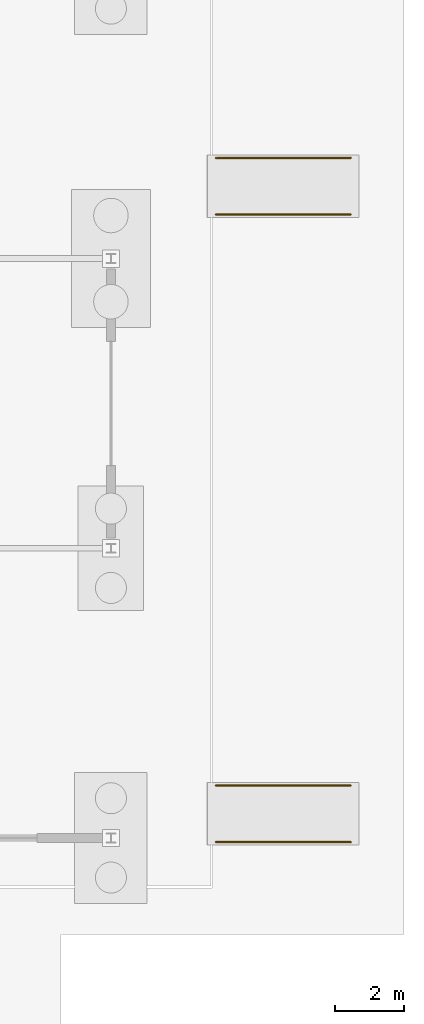
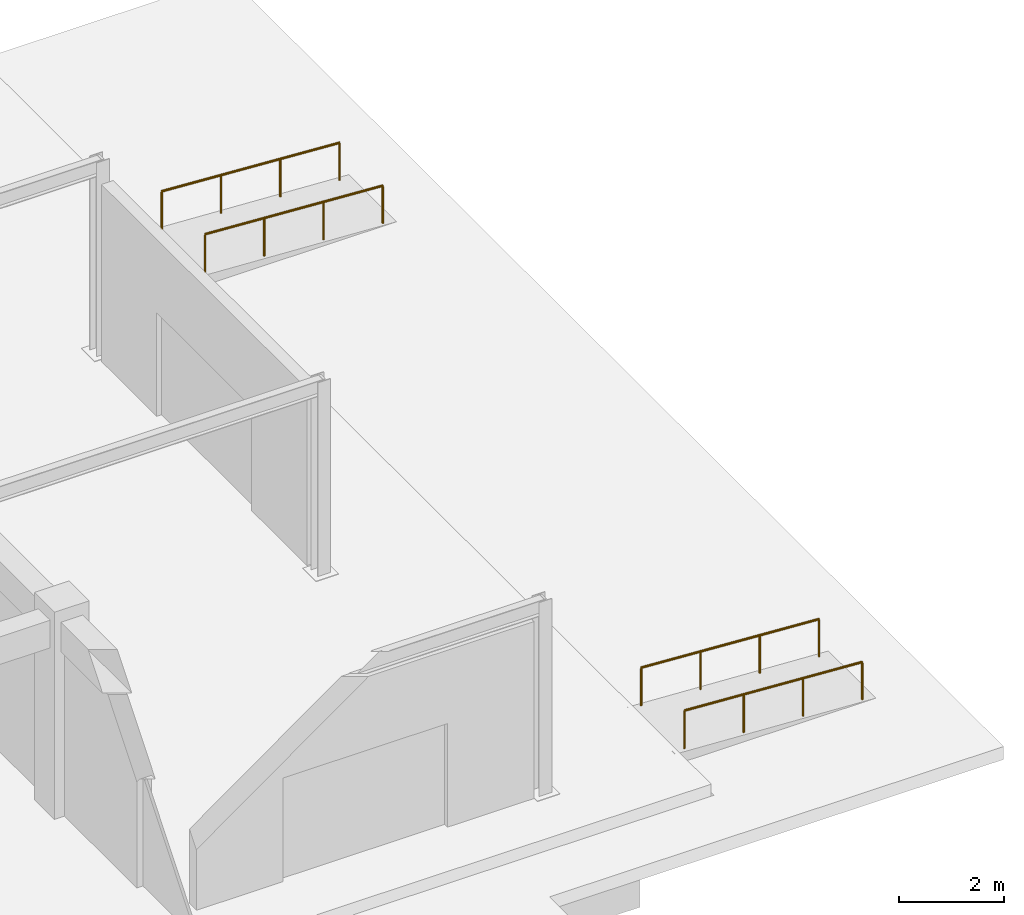
# One storey, part 190 of 192: 4 railings.
"""IFC4 building model written with IfcOpenShell, lengths in metres."""

from ifc_helpers import new_model, si_unit, direction, frame, origin, origin_2d, place, context, subcontext, project, spatial, circle, extrude, material, type_object, element, save


model = new_model("IFC4")

# Units and contexts
model_context = context("Model", 3, precision=1e-05, world=origin(), true_north=direction((0.0, 1.0)))
body_context = subcontext(model_context, "Body", "Model", "MODEL_VIEW")
ifc_project = project(units=[si_unit("LENGTHUNIT", "METRE"), si_unit("AREAUNIT", "SQUARE_METRE"), si_unit("VOLUMEUNIT", "CUBIC_METRE"), si_unit("PLANEANGLEUNIT", "RADIAN"), si_unit("MASSUNIT", "GRAM", prefix="KILO")], contexts=[model_context])

# Site, building, storey
site_placement = place(None, origin())
site = spatial("IfcSite", under=ifc_project, at=site_placement, CompositionType="ELEMENT")
building_placement = place(site_placement, origin())
building = spatial("IfcBuilding", under=site, at=building_placement, Name="Trelvath General Hospital", CompositionType="ELEMENT")
storey_placement = place(building_placement, origin())
storey = spatial("IfcBuildingStorey", under=building, at=storey_placement, Name="L00", CompositionType="ELEMENT", Elevation=0.0)

# Railings
ifc_material = material(Name="Brushed stainless steel", Category="steel")
railing_type = type_object("IfcRailingType", Name="Handrail Stair900", PredefinedType="HANDRAIL", material=ifc_material)
for number, where, name in (
    (1, (195.949951171875, 88.080078125, 0.0), "Ramp Handrail RMP-ENTRY-5 S"),
    (2, (195.949951171875, 89.719970703125, 0.0), "Ramp Handrail RMP-ENTRY-5 N"),
    (3, (195.949951171875, 106.280029296875, 0.0), "Ramp Handrail RMP-ENTRY-6 S"),
    (4, (195.949951171875, 107.919921875, 0.0), "Ramp Handrail RMP-ENTRY-6 N"),
):
    element("IfcRailing", number, at=place(storey_placement, frame(where)), inside=storey, type_object=railing_type, Name=name, PredefinedType="HANDRAIL", context=body_context, shape_type="SweptSolid", body=[
        extrude(circle(Radius=0.02392578125, at=origin_2d()), frame((0.0, 0.0, 0.8759765625), z_axis=(0.998112164557, 0.0, -0.061417480924), x_axis=(0.0, 1.0, 0.0)), (0.0, 0.0, 1.0), 3.907470703125),
        extrude(circle(Radius=0.02099609375, at=origin_2d()), origin(), (0.0, 0.0, 1.0), 0.849853515625),
        extrude(circle(Radius=0.02099609375, at=origin_2d()), frame((1.300048828125, 0.0, -0.080078125)), (0.0, 0.0, 1.0), 0.849853515625),
        extrude(circle(Radius=0.02099609375, at=origin_2d()), frame((2.60009765625, 0.0, -0.159912109375)), (0.0, 0.0, 1.0), 0.849853515625),
        extrude(circle(Radius=0.02099609375, at=origin_2d()), frame((3.900146484375, 0.0, -0.239990234375)), (0.0, 0.0, 1.0), 0.849853515625),
    ])

save(model, "model.ifc")
